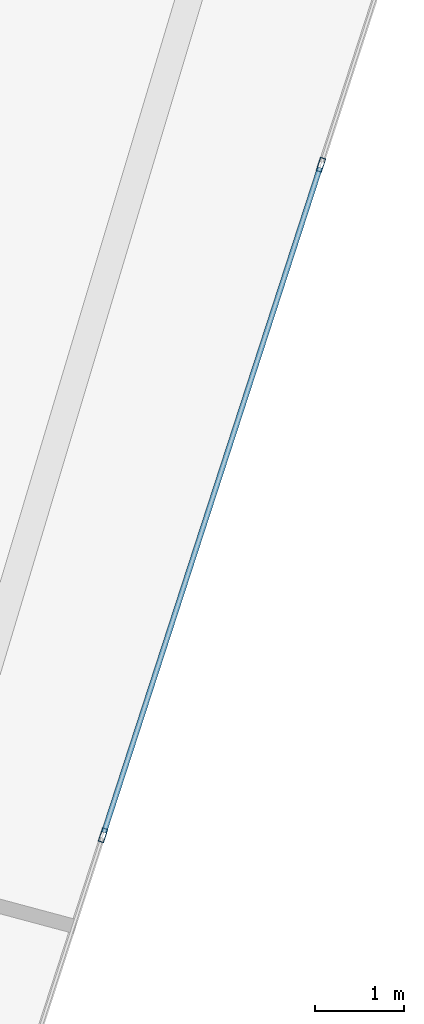
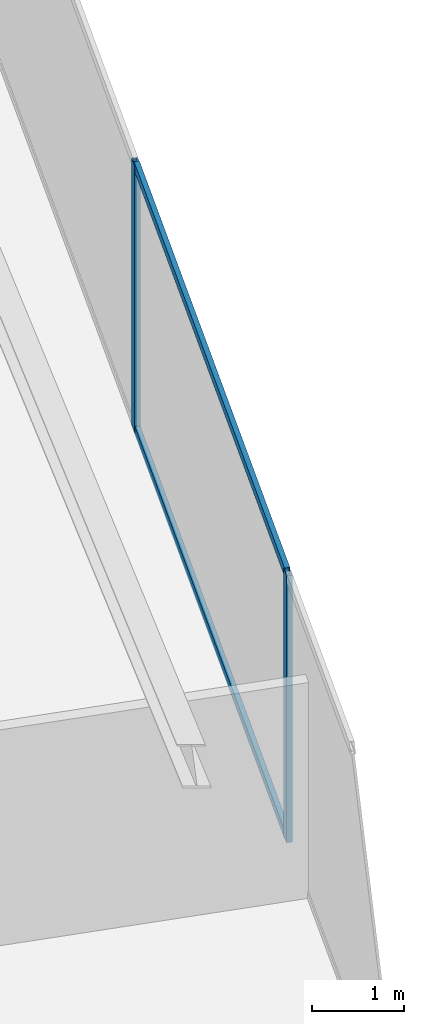
# One storey, part 9 of 14: 4 members, 1 element without a shape of its own.
"""IFC4 building model written with IfcOpenShell, lengths in metres."""

from ifc_helpers import new_model, si_unit, direction, frame, origin, origin_2d, place, context, subcontext, project, spatial, hollow_rectangle, extrude, material, layer, layer_set, material_profile, profile_set, type_object, element, aggregate, save


model = new_model("IFC4")

# Units and contexts
model_context = context("Model", 3, precision=1e-05, world=origin(), true_north=direction((0.0, 1.0)))
body_context = subcontext(model_context, "Body", "Model", "MODEL_VIEW")
ifc_project = project(units=[si_unit("LENGTHUNIT", "METRE"), si_unit("AREAUNIT", "SQUARE_METRE"), si_unit("VOLUMEUNIT", "CUBIC_METRE"), si_unit("PLANEANGLEUNIT", "RADIAN"), si_unit("MASSUNIT", "GRAM", prefix="KILO")], contexts=[model_context])

# Site, building, storey
site_placement = place(None, origin())
site = spatial("IfcSite", under=ifc_project, at=site_placement, CompositionType="ELEMENT")
building_placement = place(site_placement, origin())
building = spatial("IfcBuilding", under=site, at=building_placement, Name="Qianvela Tower", CompositionType="ELEMENT")
storey_placement = place(building_placement, frame((0.0, 0.0, 371.300048828125)))
storey = spatial("IfcBuildingStorey", under=building, at=storey_placement, Name="L96", CompositionType="ELEMENT", Elevation=371.300048828125)

# Curtain wall, members
ifc_material_1 = material(Name="Anodised Architectural Aluminium and Low-E Glass", Category="aluminium")
ifc_layer = layer(ifc_material_1, 0.159912109375)
ifc_layer_set = layer_set([ifc_layer], Name="Anodised Architectural Aluminium and Low-E Glass")
curtain_wall_type = type_object("IfcCurtainWallType", Name="CW-CROWN", PredefinedType="USERDEFINED", material=ifc_layer_set)
curtain_wall_placement = place(storey_placement, origin())
curtain_wall = element("IfcCurtainWall", 1, at=curtain_wall_placement, inside=storey, type_object=curtain_wall_type, Name="L96 CW-CROWN Curtain Wall 06", ObjectType="CURTAIN_WALL_SYSTEM", PredefinedType="USERDEFINED")
ifc_material_2 = material(Name="Anodised Architectural Aluminium 6063-T6", Category="aluminium")
ifc_material_profile_1 = material_profile(ifc_material_2, hollow_rectangle(XDim=0.06494140625, YDim=0.159912109375, WallThickness=0.0048828125, at=origin_2d()), Name="ALU-MULL-65x160")
ifc_profile_set_1 = profile_set([ifc_material_profile_1], Name="Anodised Architectural Aluminium 6063-T6")
member_type_1 = type_object("IfcMemberType", Name="CW-CROWN-MULL", PredefinedType="MULLION", material=ifc_profile_set_1)
member_1_placement = place(storey_placement, frame((46.80810546875, 24.516845703125, 0.0), z_axis=(0.0, 0.0, 1.0), x_axis=(-0.951026796668, 0.309108447019, 0.0)))
member_1 = element("IfcMember", 2, at=member_1_placement, type_object=member_type_1, Name="CW-8 mullion 3", PredefinedType="MULLION", context=body_context, shape_type="SweptSolid", body=[
    extrude(hollow_rectangle(XDim=0.06494140625, YDim=0.159912109375, WallThickness=0.0048828125, at=origin_2d()), origin(), (0.0, 0.0, 1.0), 3.550048828125),
])
member_2_placement = place(storey_placement, frame((49.268310546875, 32.085693359375, 0.0), z_axis=(0.0, 0.0, 1.0), x_axis=(-0.951026796668, 0.309108447019, 0.0)))
member_2 = element("IfcMember", 3, at=member_2_placement, type_object=member_type_1, Name="CW-8 mullion 4", PredefinedType="MULLION", context=body_context, shape_type="SweptSolid", body=[
    extrude(hollow_rectangle(XDim=0.06494140625, YDim=0.159912109375, WallThickness=0.0048828125, at=origin_2d()), origin(), (0.0, 0.0, 1.0), 3.550048828125),
])
ifc_material_3 = material(Name="Anodised Architectural Aluminium 6063-T6", Category="aluminium")
ifc_material_profile_2 = material_profile(ifc_material_3, hollow_rectangle(XDim=0.06005859375, YDim=0.114990234375, WallThickness=0.00390625, at=origin_2d()), Name="ALU-TRAN-60x115")
ifc_profile_set_2 = profile_set([ifc_material_profile_2], Name="Anodised Architectural Aluminium 6063-T6")
member_type_2 = type_object("IfcMemberType", Name="CW-CROWN-TRAN", PredefinedType="USERDEFINED", material=ifc_profile_set_2)
member_3_placement = place(storey_placement, frame((46.818359375, 24.5478515625, 0.030029296875), z_axis=(0.309083274825, 0.951034977918, 0.0), x_axis=(-0.951034977918, 0.309083274825, 0.0)))
member_3 = element("IfcMember", 4, at=member_3_placement, type_object=member_type_2, Name="CW-8 transom 3.1", ObjectType="TRANSOM", PredefinedType="USERDEFINED", context=body_context, shape_type="SweptSolid", body=[
    extrude(hollow_rectangle(XDim=0.06005859375, YDim=0.114990234375, WallThickness=0.00390625, at=origin_2d()), origin(), (0.0, 0.0, 1.0), 7.893310546875),
])
member_4_placement = place(storey_placement, frame((46.818359375, 24.5478515625, 3.52001953125), z_axis=(0.309083274825, 0.951034977918, 0.0), x_axis=(-0.951034977918, 0.309083274825, 0.0)))
member_4 = element("IfcMember", 5, at=member_4_placement, type_object=member_type_2, Name="CW-8 transom 3.2", ObjectType="TRANSOM", PredefinedType="USERDEFINED", context=body_context, shape_type="SweptSolid", body=[
    extrude(hollow_rectangle(XDim=0.06005859375, YDim=0.114990234375, WallThickness=0.00390625, at=origin_2d()), origin(), (0.0, 0.0, 1.0), 7.893310546875),
])
aggregate(curtain_wall, [member_1, member_2, member_3, member_4])

save(model, "model.ifc")
